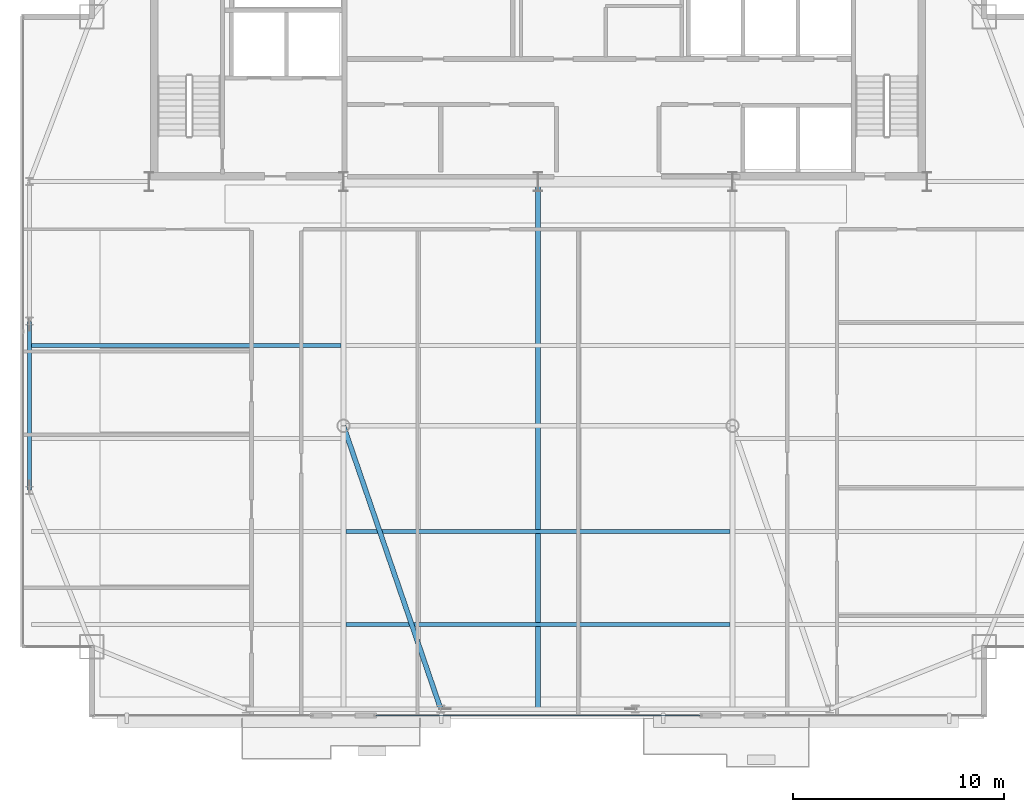
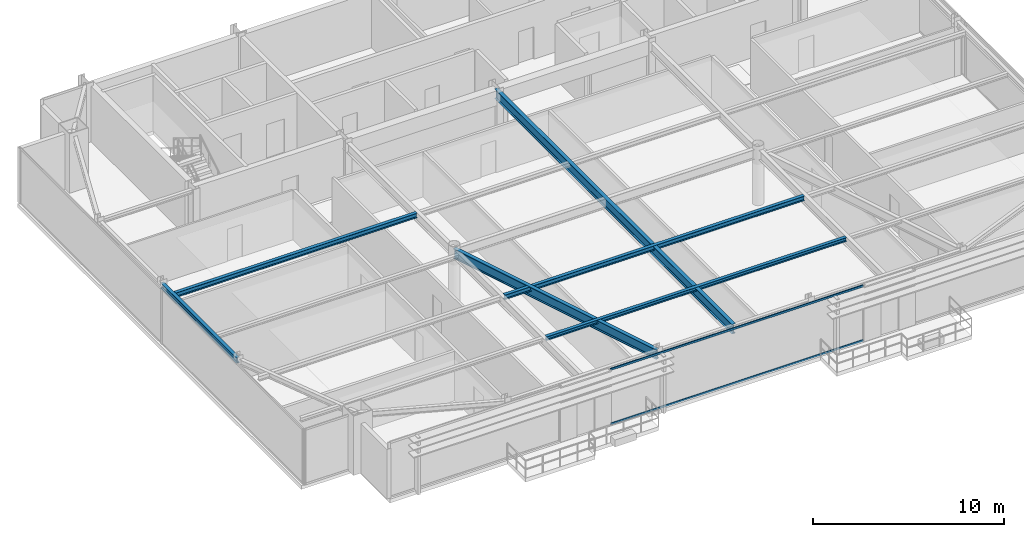
# One storey, part 9 of 30: 6 beams, 2 members, 1 element without a shape of its own.
"""IFC4 building model written with IfcOpenShell, lengths in metres."""

from ifc_helpers import new_model, si_unit, direction, frame, origin, origin_2d, place, context, subcontext, project, spatial, hollow_rectangle, i_section, extrude, source, transform, mapped, material, layer, layer_set, material_profile, profile_set, type_object, type_shapes, element, aggregate, save


model = new_model("IFC4")

# Units and contexts
model_context = context("Model", 3, precision=1e-05, world=origin(), true_north=direction((0.0, 1.0)))
body_context = subcontext(model_context, "Body", "Model", "MODEL_VIEW")
ifc_project = project(units=[si_unit("LENGTHUNIT", "METRE"), si_unit("AREAUNIT", "SQUARE_METRE"), si_unit("VOLUMEUNIT", "CUBIC_METRE"), si_unit("PLANEANGLEUNIT", "RADIAN"), si_unit("MASSUNIT", "GRAM", prefix="KILO")], contexts=[model_context])

# Site, building, storey
site_placement = place(None, origin())
site = spatial("IfcSite", under=ifc_project, at=site_placement, CompositionType="ELEMENT")
building_placement = place(site_placement, origin())
building = spatial("IfcBuilding", under=site, at=building_placement, Name="Varnel Quay Broadcast Tower", CompositionType="ELEMENT")
storey_placement = place(building_placement, frame((0.0, 0.0, 211.199951171875)))
storey = spatial("IfcBuildingStorey", under=building, at=storey_placement, Name="L52", CompositionType="ELEMENT", Elevation=211.199951171875)

# Beams
ifc_material_1 = material(Name="Structural Steel CSA G40.21 350W", Category="steel")
ifc_material_profile_1 = material_profile(ifc_material_1, i_section(OverallWidth=0.205078125, OverallDepth=0.35400390625, WebThickness=0.009521484375, FlangeThickness=0.016845703125, FilletRadius=0.012939453125, at=origin_2d()), Name="W360X79")
ifc_profile_set_1 = profile_set([ifc_material_profile_1], Name="Structural Steel CSA G40.21 350W")
beam_type_1 = type_object("IfcBeamType", Name="Beam_W360X79", PredefinedType="SPANDREL", material=ifc_profile_set_1)
shared_shape_1 = source(origin(), body_context, "Body", "SweptSolid", [
    extrude(i_section(OverallWidth=0.205078125, OverallDepth=0.35400390625, WebThickness=0.009521484375, FlangeThickness=0.016845703125, FilletRadius=0.012939453125, at=origin_2d()), origin(), (0.0, 0.0, 1.0), 7.9599609375),
])
type_shapes(beam_type_1, [shared_shape_1])
beam_1_placement = place(storey_placement, frame((9.949951171875, 21.02001953125, 3.373046875), z_axis=(0.0, 1.0, 0.0), x_axis=(-1.0, 0.0, 0.0)))
element("IfcBeam", 1, at=beam_1_placement, inside=storey, type_object=beam_type_1, Name="L52 West Spandrel TC-W1-TC-W2", PredefinedType="SPANDREL", context=body_context, shape_type="MappedRepresentation", body=[
    mapped(shared_shape_1, transform((0.0, 0.0, 0.0), x_axis=(1.0, 0.0, 0.0), y_axis=(0.0, 1.0, 0.0), z_axis=(0.0, 0.0, 1.0), scale=1.0)),
])
ifc_material_profile_2 = material_profile(ifc_material_1, i_section(OverallWidth=0.22998046875, OverallDepth=0.616943359375, WebThickness=0.01318359375, FlangeThickness=0.022216796875, FilletRadius=0.01611328125, at=origin_2d()), Name="W610X140")
ifc_profile_set_2 = profile_set([ifc_material_profile_2], Name="Structural Steel CSA G40.21 350W")
beam_type_2 = type_object("IfcBeamType", Name="Girder_W610X140", PredefinedType="BEAM", material=ifc_profile_set_2)
shared_shape_2 = source(origin(), body_context, "Body", "SweptSolid", [
    extrude(i_section(OverallWidth=0.22998046875, OverallDepth=0.616943359375, WebThickness=0.01318359375, FlangeThickness=0.022216796875, FilletRadius=0.01611328125, at=origin_2d()), origin(), (0.0, 0.0, 1.0), 14.12744140625),
])
beam_2_placement = place(storey_placement, frame((29.3935546875, 10.6689453125, 3.241455078125), z_axis=(-0.324696747868, 0.945818175932, 0.0), x_axis=(-0.945818175932, -0.324696747868, 0.0)))
element("IfcBeam", 2, at=beam_2_placement, inside=storey, type_object=beam_type_2, Name="L52 Primary Girder TC-S2-IC-01", PredefinedType="BEAM", context=body_context, shape_type="MappedRepresentation", body=[
    mapped(shared_shape_2, transform((0.0, 0.0, 0.0), x_axis=(1.0, 0.0, 0.0), y_axis=(0.0, 1.0, 0.0), z_axis=(0.0, 0.0, 1.0), scale=1.0)),
])
shared_shape_3 = source(origin(), body_context, "Body", "SweptSolid", [
    extrude(i_section(OverallWidth=0.22998046875, OverallDepth=0.616943359375, WebThickness=0.01318359375, FlangeThickness=0.022216796875, FilletRadius=0.01611328125, at=origin_2d()), origin(), (0.0, 0.0, 1.0), 24.91015625),
])
type_shapes(beam_type_2, [shared_shape_2, shared_shape_3])
beam_3_placement = place(storey_placement, frame((34.0, 10.669921875, 3.241455078125), z_axis=(0.0, 1.0, 0.0), x_axis=(-1.0, 0.0, 0.0)))
element("IfcBeam", 3, at=beam_3_placement, inside=storey, type_object=beam_type_2, Name="L52 Central Bay Girder", PredefinedType="BEAM", context=body_context, shape_type="MappedRepresentation", body=[
    mapped(shared_shape_3, transform((0.0, 0.0, 0.0), x_axis=(1.0, 0.0, 0.0), y_axis=(0.0, 1.0, 0.0), z_axis=(0.0, 0.0, 1.0), scale=1.0)),
])
ifc_material_profile_3 = material_profile(ifc_material_1, i_section(OverallWidth=0.201904296875, OverallDepth=0.2470703125, WebThickness=0.00732421875, FlangeThickness=0.010986328125, FilletRadius=0.010986328125, at=origin_2d()), Name="W250X49")
ifc_profile_set_3 = profile_set([ifc_material_profile_3], Name="Structural Steel CSA G40.21 350W")
beam_type_3 = type_object("IfcBeamType", Name="Beam_W250X49", PredefinedType="JOIST", material=ifc_profile_set_3)
shared_shape_4 = source(origin(), body_context, "Body", "SweptSolid", [
    extrude(i_section(OverallWidth=0.201904296875, OverallDepth=0.2470703125, WebThickness=0.00732421875, FlangeThickness=0.010986328125, FilletRadius=0.010986328125, at=origin_2d()), origin(), (0.0, 0.0, 1.0), 18.18017578125),
])
type_shapes(beam_type_3, [shared_shape_4])
beam_4_placement = place(storey_placement, frame((24.909912109375, 14.64990234375, 3.426513671875), z_axis=(1.0, 0.0, 0.0), x_axis=(0.0, 1.0, 0.0)))
element("IfcBeam", 4, at=beam_4_placement, inside=storey, type_object=beam_type_3, Name="L52 Central Floor Joist 1", PredefinedType="JOIST", context=body_context, shape_type="MappedRepresentation", body=[
    mapped(shared_shape_4, transform((0.0, 0.0, 0.0), x_axis=(1.0, 0.0, 0.0), y_axis=(0.0, 1.0, 0.0), z_axis=(0.0, 0.0, 1.0), scale=1.0)),
])
ifc_material_profile_4 = material_profile(ifc_material_1, i_section(OverallWidth=0.202880859375, OverallDepth=0.302978515625, WebThickness=0.007568359375, FlangeThickness=0.01318359375, FilletRadius=0.011962890625, at=origin_2d()), Name="W310X60")
ifc_profile_set_4 = profile_set([ifc_material_profile_4], Name="Structural Steel CSA G40.21 350W")
beam_type_4 = type_object("IfcBeamType", Name="Beam_W310X60", PredefinedType="JOIST", material=ifc_profile_set_4)
shared_shape_5 = source(origin(), body_context, "Body", "SweptSolid", [
    extrude(i_section(OverallWidth=0.202880859375, OverallDepth=0.302978515625, WebThickness=0.007568359375, FlangeThickness=0.01318359375, FilletRadius=0.011962890625, at=origin_2d()), origin(), (0.0, 0.0, 1.0), 14.642333984375),
])
beam_5_placement = place(storey_placement, frame((10.047607421875, 27.85009765625, 3.3984375), z_axis=(1.0, 0.0, 0.0), x_axis=(0.0, 1.0, 0.0)))
element("IfcBeam", 5, at=beam_5_placement, inside=storey, type_object=beam_type_4, Name="L52 West Floor Joist 4", PredefinedType="JOIST", context=body_context, shape_type="MappedRepresentation", body=[
    mapped(shared_shape_5, transform((0.0, 0.0, 0.0), x_axis=(1.0, 0.0, 0.0), y_axis=(0.0, 1.0, 0.0), z_axis=(0.0, 0.0, 1.0), scale=1.0)),
])
shared_shape_6 = source(origin(), body_context, "Body", "SweptSolid", [
    extrude(i_section(OverallWidth=0.202880859375, OverallDepth=0.302978515625, WebThickness=0.007568359375, FlangeThickness=0.01318359375, FilletRadius=0.011962890625, at=origin_2d()), origin(), (0.0, 0.0, 1.0), 18.18017578125),
])
type_shapes(beam_type_4, [shared_shape_5, shared_shape_6])
beam_6_placement = place(storey_placement, frame((24.909912109375, 19.050048828125, 3.3984375), z_axis=(1.0, 0.0, 0.0), x_axis=(0.0, 1.0, 0.0)))
element("IfcBeam", 6, at=beam_6_placement, inside=storey, type_object=beam_type_4, Name="L52 Central Floor Joist 2", PredefinedType="JOIST", context=body_context, shape_type="MappedRepresentation", body=[
    mapped(shared_shape_6, transform((0.0, 0.0, 0.0), x_axis=(1.0, 0.0, 0.0), y_axis=(0.0, 1.0, 0.0), z_axis=(0.0, 0.0, 1.0), scale=1.0)),
])

# Curtain wall, members
ifc_material_2 = material(Name="Anodised Bronze Aluminium 6063-T6", Category="aluminium")
ifc_layer = layer(ifc_material_2, 0.18994140625, Name="Anodised Bronze Aluminium 6063-T6")
ifc_layer_set = layer_set([ifc_layer], Name="Anodised Bronze Aluminium 6063-T6")
curtain_wall_type = type_object("IfcCurtainWallType", Name="CW_UpperTower", PredefinedType="NOTDEFINED", material=ifc_layer_set)
curtain_wall_placement = place(storey_placement, origin())
curtain_wall = element("IfcCurtainWall", 7, at=curtain_wall_placement, inside=storey, type_object=curtain_wall_type, Name="L52 South Unitised Curtain Wall 2", PredefinedType="NOTDEFINED")
ifc_material_profile_5 = material_profile(ifc_material_2, hollow_rectangle(XDim=0.06005859375, YDim=0.125, WallThickness=0.0029296875, at=origin_2d()), Name="ALU60X125X3")
ifc_profile_set_5 = profile_set([ifc_material_profile_5], Name="Anodised Bronze Aluminium 6063-T6")
member_type = type_object("IfcMemberType", Name="Tran_CWS-03", PredefinedType="USERDEFINED", material=ifc_profile_set_5)
shared_shape_7 = source(origin(), body_context, "Body", "SweptSolid", [
    extrude(hollow_rectangle(XDim=0.06005859375, YDim=0.125, WallThickness=0.0029296875, at=origin_2d()), origin(), (0.0, 0.0, 1.0), 15.31005859375),
])
type_shapes(member_type, [shared_shape_7])
member_1_placement = place(storey_placement, frame((26.344970703125, 10.35009765625, 0.030029296875), z_axis=(1.0, 0.0, 0.0), x_axis=(0.0, 1.0, 0.0)))
member_1 = element("IfcMember", 8, at=member_1_placement, type_object=member_type, Name="CWS-03 transom 1.1", ObjectType="TRANSOM", PredefinedType="USERDEFINED", context=body_context, shape_type="MappedRepresentation", body=[
    mapped(shared_shape_7, transform((0.0, 0.0, 0.0), x_axis=(1.0, 0.0, 0.0), y_axis=(0.0, 1.0, 0.0), z_axis=(0.0, 0.0, 1.0), scale=1.0)),
])
member_2_placement = place(storey_placement, frame((26.344970703125, 10.35009765625, 3.52001953125), z_axis=(1.0, 0.0, 0.0), x_axis=(0.0, 1.0, 0.0)))
member_2 = element("IfcMember", 9, at=member_2_placement, type_object=member_type, Name="CWS-03 transom 1.2", ObjectType="TRANSOM", PredefinedType="USERDEFINED", context=body_context, shape_type="MappedRepresentation", body=[
    mapped(shared_shape_7, transform((0.0, 0.0, 0.0), x_axis=(1.0, 0.0, 0.0), y_axis=(0.0, 1.0, 0.0), z_axis=(0.0, 0.0, 1.0), scale=1.0)),
])
aggregate(curtain_wall, [member_1, member_2])

save(model, "model.ifc")
